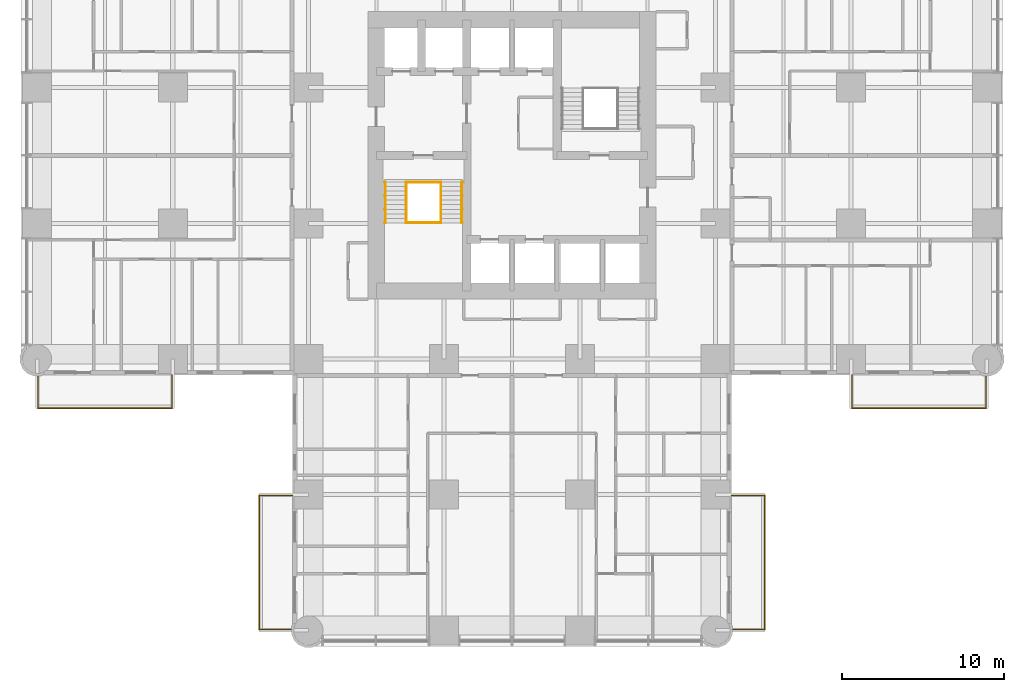
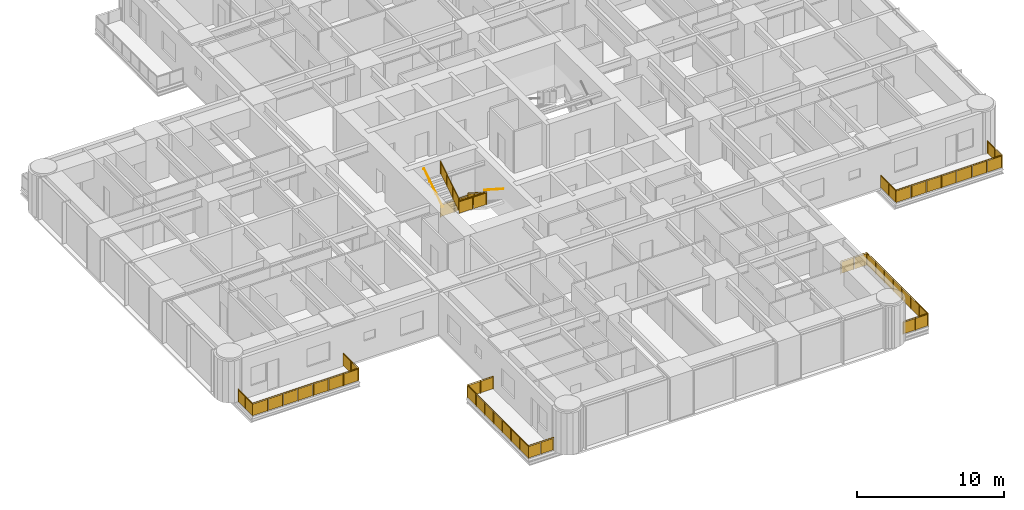
# One storey, part 16 of 17: 10 railings.
"""IFC4 building model written with IfcOpenShell, lengths in metres."""

import ifcopenshell
import ifcopenshell.guid

model = None  # the IFC model being written
_history = None  # IfcOwnerHistory: only IFC2X3 demands one
_inside = {}  # id of a spatial element -> (the spatial element, [elements in it])
_under = {}  # id of a project, library or spatial element -> (it, [spatial elements below it])
_declared = {}  # id of a project -> (the project, [libraries it declares])
_typed = {}  # id of a type object -> (the type object, [elements of that type])
_made_of = {}  # id of a material, layer set ... -> (it, [elements and type objects made of it])


def new_model(schema):
    """Start an empty IFC model of exactly this schema.

    Asked for "IFC4X3", IfcOpenShell would pick the latest addendum, in which some entities
    have other attributes; the version numbers below select the first issue.
    IFC2X3 requires an IfcOwnerHistory on every rooted entity: one is made here for all.
    """
    global model, _history
    if schema == "IFC4X3":
        model = ifcopenshell.file(schema_version=(4, 3, 0, 0))
    else:
        model = ifcopenshell.file(schema=schema)
    _inside.clear()
    _under.clear()
    _declared.clear()
    _typed.clear()
    _made_of.clear()
    _history = None
    if model.schema == "IFC2X3":
        org = make("IfcOrganization", Name="unknown")
        user = make(
            "IfcPersonAndOrganization",
            ThePerson=make("IfcPerson", FamilyName="unknown"),
            TheOrganization=org,
        )
        app = make(
            "IfcApplication",
            ApplicationDeveloper=org,
            Version="unknown",
            ApplicationFullName="unknown",
            ApplicationIdentifier="unknown",
        )
        _history = make(
            "IfcOwnerHistory",
            OwningUser=user,
            OwningApplication=app,
            ChangeAction="ADDED",
            CreationDate=0,
        )
    return model


def make(cls, **values):
    """One entity of the class cls with the attributes given. An attribute that is None is left unset."""
    return model.create_entity(
        cls, **{name: value for name, value in values.items() if value is not None}
    )


def rooted(cls, **values):
    """An entity with a GlobalId (a new one), such as an element, a storey or a relation."""
    return make(cls, GlobalId=ifcopenshell.guid.new(), OwnerHistory=_history, **values)


def si_unit(unit_type, name, prefix=None):
    """IfcSIUnit, for example si_unit("LENGTHUNIT", "METRE", prefix="MILLI")."""
    return make("IfcSIUnit", UnitType=unit_type, Prefix=prefix, Name=name)


def assignment(units):
    """IfcUnitAssignment: the units of a project."""
    return None if units is None else make("IfcUnitAssignment", Units=units)


def point(xyz):
    """IfcCartesianPoint."""
    return None if xyz is None else make("IfcCartesianPoint", Coordinates=xyz)


def direction(xyz):
    """IfcDirection."""
    return None if xyz is None else make("IfcDirection", DirectionRatios=xyz)


def frame(location, z_axis=None, x_axis=None):
    """IfcAxis2Placement3D, a coordinate frame: its origin and axes. An axis left out is left unset."""
    return make(
        "IfcAxis2Placement3D",
        Location=point(location),
        Axis=direction(z_axis),
        RefDirection=direction(x_axis),
    )


def frame_2d(location, x_axis=None):
    """IfcAxis2Placement2D, a coordinate frame in the plane: its origin and x axis."""
    return make(
        "IfcAxis2Placement2D", Location=point(location), RefDirection=direction(x_axis)
    )


def origin():
    """The frame at (0, 0, 0) with its axes left unset."""
    return frame((0.0, 0.0, 0.0))


def origin_2d():
    """The frame at (0, 0) in the plane with its x axis left unset."""
    return frame_2d((0.0, 0.0))


def place(relative_to, where):
    """IfcLocalPlacement: puts the frame where relative to a parent placement (None: the world)."""
    return make(
        "IfcLocalPlacement", PlacementRelTo=relative_to, RelativePlacement=where
    )


def context(
    kind, dimensions, precision=None, world=None, true_north=None, identifier=None
):
    """IfcGeometricRepresentationContext, for example the 3D "Model" context."""
    return make(
        "IfcGeometricRepresentationContext",
        ContextIdentifier=identifier,
        ContextType=kind,
        CoordinateSpaceDimension=dimensions,
        Precision=precision,
        WorldCoordinateSystem=world,
        TrueNorth=true_north,
    )


def subcontext(parent, identifier, kind, view, scale=None):
    """IfcGeometricRepresentationSubContext, for example "Body" below "Model"."""
    return make(
        "IfcGeometricRepresentationSubContext",
        ContextIdentifier=identifier,
        ContextType=kind,
        ParentContext=parent,
        TargetScale=scale,
        TargetView=view,
    )


def project(units=None, contexts=None):
    """IfcProject with its units and contexts."""
    return rooted(
        "IfcProject",
        Name="project",
        RepresentationContexts=contexts,
        UnitsInContext=assignment(units),
    )


def spatial(cls, under=None, at=None, **own):
    """A site, building, storey or space (cls), placed at a placement, below another one or the project."""
    s = rooted(cls, ObjectPlacement=at, **own)
    if under is not None:
        _under.setdefault(under.id(), (under, []))[1].append(s)
    return s


def polyline(points):
    """IfcPolyline through the points."""
    return make("IfcPolyline", Points=[point(p) for p in points])


def profile(cls, at=None, kind="AREA", **sizes):
    """A parametric profile (cls). Its sizes go by their IFC names, for example OverallWidth=200.0."""
    return make(cls, ProfileType=kind, Position=at, **sizes)


def circle(**sizes):
    """IfcCircleProfileDef."""
    return profile("IfcCircleProfileDef", **sizes)


def outline(outer, holes=None, kind="AREA"):
    """IfcArbitraryClosedProfileDef: a profile drawn as a closed curve; with holes, ...WithVoids."""
    if holes is None:
        return make("IfcArbitraryClosedProfileDef", ProfileType=kind, OuterCurve=outer)
    return make(
        "IfcArbitraryProfileDefWithVoids",
        ProfileType=kind,
        OuterCurve=outer,
        InnerCurves=holes,
    )


def extrude(swept, where, along, depth):
    """IfcExtrudedAreaSolid: the profile swept, set in the frame where, extruded along a direction by depth."""
    return make(
        "IfcExtrudedAreaSolid",
        SweptArea=swept,
        Position=where,
        ExtrudedDirection=direction(along),
        Depth=depth,
    )


def shape(context_of_items, identifier, shape_type, items):
    """IfcShapeRepresentation: the items that make up one representation, for example the "Body"."""
    return make(
        "IfcShapeRepresentation",
        ContextOfItems=context_of_items,
        RepresentationIdentifier=identifier,
        RepresentationType=shape_type,
        Items=items,
    )


def material(Name=None, Category=None):
    """IfcMaterial."""
    return make("IfcMaterial", Name=Name, Category=Category)


def constituent(of_material, Name=None, Category=None, fraction=None):
    """IfcMaterialConstituent: one of the materials an element consists of."""
    return make(
        "IfcMaterialConstituent",
        Name=Name,
        Material=of_material,
        Fraction=fraction,
        Category=Category,
    )


def constituent_set(constituents=None, Name=None):
    """IfcMaterialConstituentSet."""
    return make(
        "IfcMaterialConstituentSet", Name=Name, MaterialConstituents=constituents
    )


def made_of(thing, what):
    """Note that an element or type object is made of a material, layer set ...; save() writes the relation."""
    if what is not None:
        _made_of.setdefault(what.id(), (what, []))[1].append(thing)
    return thing


def type_object(cls, material=None, **own):
    """A type object (cls), such as IfcWallType, which elements share."""
    return made_of(rooted(cls, **own), material)


def element(
    cls,
    number,
    at=None,
    inside=None,
    cuts=None,
    type_object=None,
    material=None,
    context=None,
    identifier="Body",
    shape_type=None,
    held_by="IfcProductDefinitionShape",
    body=None,
    shapes=None,
    **own,
):
    """One element of the class cls, such as IfcWall. Its Tag is "e" and its number.

    at: its placement. inside: the storey or other place that contains it. cuts: it is an
    opening in that element (IfcRelVoidsElement). A single representation is given by context,
    identifier, shape_type and body (its items); several are given by shapes. held_by: the class
    of the entity that holds the representations. save() writes the other relations.
    """
    e = rooted(cls, Tag="e%d" % number, ObjectPlacement=at, **own)
    if body is not None:
        shapes = [shape(context, identifier, shape_type, body)]
    if shapes is not None:
        e.Representation = make(held_by, Representations=shapes)
    if inside is not None:
        _inside.setdefault(inside.id(), (inside, []))[1].append(e)
    if cuts is not None:
        rooted(
            "IfcRelVoidsElement", RelatingBuildingElement=cuts, RelatedOpeningElement=e
        )
    if type_object is not None:
        _typed.setdefault(type_object.id(), (type_object, []))[1].append(e)
    return made_of(e, material)


def aggregate(whole, parts):
    """IfcRelAggregates: a whole, such as a stair, and the parts it consists of."""
    return rooted("IfcRelAggregates", RelatingObject=whole, RelatedObjects=parts)


def save(model, path):
    """Write the relations noted so far, then the file.

    IfcRelAggregates (storeys below a building ...), IfcRelContainedInSpatialStructure (elements
    in a storey), IfcRelDefinesByType, IfcRelAssociatesMaterial and IfcRelDeclares: one each for
    every whole, place, type object, material and project.
    """
    for whole, parts in _under.values():
        aggregate(whole, parts)
    for where, things in _inside.values():
        rooted(
            "IfcRelContainedInSpatialStructure",
            RelatedElements=things,
            RelatingStructure=where,
        )
    for kind, things in _typed.values():
        rooted("IfcRelDefinesByType", RelatedObjects=things, RelatingType=kind)
    for what, things in _made_of.values():
        rooted("IfcRelAssociatesMaterial", RelatedObjects=things, RelatingMaterial=what)
    for by, libraries in _declared.values():
        rooted("IfcRelDeclares", RelatingContext=by, RelatedDefinitions=libraries)
    model.write(path)


model = new_model("IFC4")

# Units and contexts
model_context = context("Model", 3, precision=1e-05, world=origin(), true_north=direction((0.0, 1.0)))
body_context = subcontext(model_context, "Body", "Model", "MODEL_VIEW")
ifc_project = project(units=[si_unit("LENGTHUNIT", "METRE"), si_unit("AREAUNIT", "SQUARE_METRE"), si_unit("VOLUMEUNIT", "CUBIC_METRE"), si_unit("PLANEANGLEUNIT", "RADIAN"), si_unit("MASSUNIT", "GRAM", prefix="KILO")], contexts=[model_context])

# Site, building, storey
site_placement = place(None, origin())
site = spatial("IfcSite", under=ifc_project, at=site_placement, CompositionType="ELEMENT")
building_placement = place(site_placement, origin())
building = spatial("IfcBuilding", under=site, at=building_placement, Name="Torre Alcanfor", CompositionType="ELEMENT")
storey_placement = place(building_placement, frame((0.0, 0.0, 56.10009765625)))
storey = spatial("IfcBuildingStorey", under=building, at=storey_placement, Name="L13", CompositionType="ELEMENT", Elevation=56.10009765625)

# Railings
ifc_material_1 = material(Name="Laminated safety glass", Category="glass")
ifc_constituent_1 = constituent(ifc_material_1, Name="Infill")
ifc_material_2 = material(Name="Stainless steel ASTM A554 Grade MT 316L tube", Category="steel")
ifc_constituent_2 = constituent(ifc_material_2, Name="Posts and rail")
ifc_constituent_set = constituent_set(constituents=[ifc_constituent_1, ifc_constituent_2], Name="Balcony guard glass 1100")
railing_type_1 = type_object("IfcRailingType", Name="Balcony guard glass 1100", PredefinedType="BALUSTRADE", material=ifc_constituent_set)
railing_1_placement = place(storey_placement, frame((50.449951171875, 15.800048828125, 0.0)))
element("IfcRailing", 1, at=railing_1_placement, inside=storey, type_object=railing_type_1, Name="Balcony guard L13-E2", PredefinedType="BALUSTRADE", context=body_context, shape_type="SweptSolid", body=[
    extrude(circle(Radius=0.02392578125, at=origin_2d()), frame((0.0, 0.0, 1.076171875), z_axis=(0.0, -1.0, 0.0), x_axis=(1.0, 0.0, 0.0)), (0.0, 0.0, 1.0), 2.050048828125),
    extrude(circle(Radius=0.02392578125, at=origin_2d()), frame((0.0, -2.050048828125, 1.076171875), z_axis=(1.0, 0.0, 0.0), x_axis=(0.0, 1.0, 0.0)), (0.0, 0.0, 1.0), 8.300048828125),
    extrude(circle(Radius=0.02392578125, at=origin_2d()), frame((8.300048828125, -2.050048828125, 1.076171875), z_axis=(0.0, 1.0, 0.0), x_axis=(-1.0, 0.0, 0.0)), (0.0, 0.0, 1.0), 1.968994140625),
    extrude(circle(Radius=0.02099609375, at=origin_2d()), origin(), (0.0, 0.0, 1.0), 1.052001953125),
    extrude(circle(Radius=0.02099609375, at=origin_2d()), frame((0.0, -1.02490234375, 0.0)), (0.0, 0.0, 1.0), 1.052001953125),
    extrude(circle(Radius=0.02099609375, at=origin_2d()), frame((0.0, -2.050048828125, 0.0)), (0.0, 0.0, 1.0), 1.052001953125),
    extrude(circle(Radius=0.02099609375, at=origin_2d()), frame((1.185791015625, -2.050048828125, 0.0)), (0.0, 0.0, 1.0), 1.052001953125),
    extrude(circle(Radius=0.02099609375, at=origin_2d()), frame((2.371337890625, -2.050048828125, 0.0)), (0.0, 0.0, 1.0), 1.052001953125),
    extrude(circle(Radius=0.02099609375, at=origin_2d()), frame((3.55712890625, -2.050048828125, 0.0)), (0.0, 0.0, 1.0), 1.052001953125),
    extrude(circle(Radius=0.02099609375, at=origin_2d()), frame((4.742919921875, -2.050048828125, 0.0)), (0.0, 0.0, 1.0), 1.052001953125),
    extrude(circle(Radius=0.02099609375, at=origin_2d()), frame((5.9287109375, -2.050048828125, 0.0)), (0.0, 0.0, 1.0), 1.052001953125),
    extrude(circle(Radius=0.02099609375, at=origin_2d()), frame((7.1142578125, -2.050048828125, 0.0)), (0.0, 0.0, 1.0), 1.052001953125),
    extrude(circle(Radius=0.02099609375, at=origin_2d()), frame((8.300048828125, -2.050048828125, 0.0)), (0.0, 0.0, 1.0), 1.052001953125),
    extrude(circle(Radius=0.02099609375, at=origin_2d()), frame((8.300048828125, -1.0654296875, 0.0)), (0.0, 0.0, 1.0), 1.052001953125),
    extrude(circle(Radius=0.02099609375, at=origin_2d()), frame((8.300048828125, -0.0810546875, 0.0)), (0.0, 0.0, 1.0), 1.052001953125),
    extrude(outline(polyline([(0.041015625, 0.050048828125), (0.984130859375, 0.050048828125), (0.984130859375, 1.001953125), (0.041015625, 1.001953125), (0.041015625, 0.050048828125)])), frame((0.005859375, 0.0, 0.0), z_axis=(-1.0, 0.0, 0.0), x_axis=(0.0, -1.0, 0.0)), (0.0, 0.0, 1.0), 0.011962890625),
    extrude(outline(polyline([(1.06591796875, 0.050048828125), (2.009033203125, 0.050048828125), (2.009033203125, 1.001953125), (1.06591796875, 1.001953125), (1.06591796875, 0.050048828125)])), frame((0.005859375, 0.0, 0.0), z_axis=(-1.0, 0.0, 0.0), x_axis=(0.0, -1.0, 0.0)), (0.0, 0.0, 1.0), 0.011962890625),
    extrude(outline(polyline([(0.041015625, 0.050048828125), (1.144775390625, 0.050048828125), (1.144775390625, 1.001953125), (0.041015625, 1.001953125), (0.041015625, 0.050048828125)])), frame((0.0, -2.0439453125, 0.0), z_axis=(0.0, -1.0, 0.0), x_axis=(1.0, 0.0, 0.0)), (0.0, 0.0, 1.0), 0.011962890625),
    extrude(outline(polyline([(1.226806640625, 0.050048828125), (2.330322265625, 0.050048828125), (2.330322265625, 1.001953125), (1.226806640625, 1.001953125), (1.226806640625, 0.050048828125)])), frame((0.0, -2.0439453125, 0.0), z_axis=(0.0, -1.0, 0.0), x_axis=(1.0, 0.0, 0.0)), (0.0, 0.0, 1.0), 0.011962890625),
    extrude(outline(polyline([(2.412353515625, 0.050048828125), (3.51611328125, 0.050048828125), (3.51611328125, 1.001953125), (2.412353515625, 1.001953125), (2.412353515625, 0.050048828125)])), frame((0.0, -2.0439453125, 0.0), z_axis=(0.0, -1.0, 0.0), x_axis=(1.0, 0.0, 0.0)), (0.0, 0.0, 1.0), 0.011962890625),
    extrude(outline(polyline([(3.59814453125, 0.050048828125), (4.701904296875, 0.050048828125), (4.701904296875, 1.001953125), (3.59814453125, 1.001953125), (3.59814453125, 0.050048828125)])), frame((0.0, -2.0439453125, 0.0), z_axis=(0.0, -1.0, 0.0), x_axis=(1.0, 0.0, 0.0)), (0.0, 0.0, 1.0), 0.011962890625),
    extrude(outline(polyline([(4.783935546875, 0.050048828125), (5.8876953125, 0.050048828125), (5.8876953125, 1.001953125), (4.783935546875, 1.001953125), (4.783935546875, 0.050048828125)])), frame((0.0, -2.0439453125, 0.0), z_axis=(0.0, -1.0, 0.0), x_axis=(1.0, 0.0, 0.0)), (0.0, 0.0, 1.0), 0.011962890625),
    extrude(outline(polyline([(5.9697265625, 0.050048828125), (7.0732421875, 0.050048828125), (7.0732421875, 1.001953125), (5.9697265625, 1.001953125), (5.9697265625, 0.050048828125)])), frame((0.0, -2.0439453125, 0.0), z_axis=(0.0, -1.0, 0.0), x_axis=(1.0, 0.0, 0.0)), (0.0, 0.0, 1.0), 0.011962890625),
    extrude(outline(polyline([(7.1552734375, 0.050048828125), (8.259033203125, 0.050048828125), (8.259033203125, 1.001953125), (7.1552734375, 1.001953125), (7.1552734375, 0.050048828125)])), frame((0.0, -2.0439453125, 0.0), z_axis=(0.0, -1.0, 0.0), x_axis=(1.0, 0.0, 0.0)), (0.0, 0.0, 1.0), 0.011962890625),
    extrude(outline(polyline([(0.041015625, 0.050048828125), (0.943603515625, 0.050048828125), (0.943603515625, 1.001953125), (0.041015625, 1.001953125), (0.041015625, 0.050048828125)])), frame((8.2939453125, -2.050048828125, 0.0), z_axis=(1.0, 0.0, 0.0), x_axis=(0.0, 1.0, 0.0)), (0.0, 0.0, 1.0), 0.011962890625),
    extrude(outline(polyline([(1.025390625, 0.050048828125), (1.927978515625, 0.050048828125), (1.927978515625, 1.001953125), (1.025390625, 1.001953125), (1.025390625, 0.050048828125)])), frame((8.2939453125, -2.050048828125, 0.0), z_axis=(1.0, 0.0, 0.0), x_axis=(0.0, 1.0, 0.0)), (0.0, 0.0, 1.0), 0.011962890625),
])
railing_2_placement = place(storey_placement, frame((43.0, 8.35009765625, 0.0)))
element("IfcRailing", 2, at=railing_2_placement, inside=storey, type_object=railing_type_1, Name="Balcony guard L13-S1", PredefinedType="BALUSTRADE", context=body_context, shape_type="SweptSolid", body=[
    extrude(circle(Radius=0.02392578125, at=origin_2d()), frame((0.0, 0.0, 1.076171875), z_axis=(1.0, 0.0, 0.0), x_axis=(0.0, 1.0, 0.0)), (0.0, 0.0, 1.0), 2.050048828125),
    extrude(circle(Radius=0.02392578125, at=origin_2d()), frame((2.050048828125, 0.0, 1.076171875), z_axis=(0.0, -1.0, 0.0), x_axis=(1.0, 0.0, 0.0)), (0.0, 0.0, 1.0), 8.300048828125),
    extrude(circle(Radius=0.02392578125, at=origin_2d()), frame((2.050048828125, -8.300048828125, 1.076171875), z_axis=(-1.0, 0.0, 0.0), x_axis=(0.0, -1.0, 0.0)), (0.0, 0.0, 1.0), 1.968994140625),
    extrude(circle(Radius=0.02099609375, at=origin_2d()), origin(), (0.0, 0.0, 1.0), 1.052001953125),
    extrude(circle(Radius=0.02099609375, at=origin_2d()), frame((1.02490234375, 0.0, 0.0)), (0.0, 0.0, 1.0), 1.052001953125),
    extrude(circle(Radius=0.02099609375, at=origin_2d()), frame((2.050048828125, 0.0, 0.0)), (0.0, 0.0, 1.0), 1.052001953125),
    extrude(circle(Radius=0.02099609375, at=origin_2d()), frame((2.050048828125, -1.185791015625, 0.0)), (0.0, 0.0, 1.0), 1.052001953125),
    extrude(circle(Radius=0.02099609375, at=origin_2d()), frame((2.050048828125, -2.371337890625, 0.0)), (0.0, 0.0, 1.0), 1.052001953125),
    extrude(circle(Radius=0.02099609375, at=origin_2d()), frame((2.050048828125, -3.55712890625, 0.0)), (0.0, 0.0, 1.0), 1.052001953125),
    extrude(circle(Radius=0.02099609375, at=origin_2d()), frame((2.050048828125, -4.742919921875, 0.0)), (0.0, 0.0, 1.0), 1.052001953125),
    extrude(circle(Radius=0.02099609375, at=origin_2d()), frame((2.050048828125, -5.9287109375, 0.0)), (0.0, 0.0, 1.0), 1.052001953125),
    extrude(circle(Radius=0.02099609375, at=origin_2d()), frame((2.050048828125, -7.1142578125, 0.0)), (0.0, 0.0, 1.0), 1.052001953125),
    extrude(circle(Radius=0.02099609375, at=origin_2d()), frame((2.050048828125, -8.300048828125, 0.0)), (0.0, 0.0, 1.0), 1.052001953125),
    extrude(circle(Radius=0.02099609375, at=origin_2d()), frame((1.0654296875, -8.300048828125, 0.0)), (0.0, 0.0, 1.0), 1.052001953125),
    extrude(circle(Radius=0.02099609375, at=origin_2d()), frame((0.0810546875, -8.300048828125, 0.0)), (0.0, 0.0, 1.0), 1.052001953125),
    extrude(outline(polyline([(0.041015625, 0.050048828125), (0.984130859375, 0.050048828125), (0.984130859375, 1.001953125), (0.041015625, 1.001953125), (0.041015625, 0.050048828125)])), frame((0.0, 0.005859375, 0.0), z_axis=(0.0, -1.0, 0.0), x_axis=(1.0, 0.0, 0.0)), (0.0, 0.0, 1.0), 0.011962890625),
    extrude(outline(polyline([(1.06591796875, 0.050048828125), (2.009033203125, 0.050048828125), (2.009033203125, 1.001953125), (1.06591796875, 1.001953125), (1.06591796875, 0.050048828125)])), frame((0.0, 0.005859375, 0.0), z_axis=(0.0, -1.0, 0.0), x_axis=(1.0, 0.0, 0.0)), (0.0, 0.0, 1.0), 0.011962890625),
    extrude(outline(polyline([(0.041015625, 0.050048828125), (1.144775390625, 0.050048828125), (1.144775390625, 1.001953125), (0.041015625, 1.001953125), (0.041015625, 0.050048828125)])), frame((2.05615234375, 0.0, 0.0), z_axis=(-1.0, 0.0, 0.0), x_axis=(0.0, -1.0, 0.0)), (0.0, 0.0, 1.0), 0.011962890625),
    extrude(outline(polyline([(1.226806640625, 0.050048828125), (2.330322265625, 0.050048828125), (2.330322265625, 1.001953125), (1.226806640625, 1.001953125), (1.226806640625, 0.050048828125)])), frame((2.05615234375, 0.0, 0.0), z_axis=(-1.0, 0.0, 0.0), x_axis=(0.0, -1.0, 0.0)), (0.0, 0.0, 1.0), 0.011962890625),
    extrude(outline(polyline([(2.412353515625, 0.050048828125), (3.51611328125, 0.050048828125), (3.51611328125, 1.001953125), (2.412353515625, 1.001953125), (2.412353515625, 0.050048828125)])), frame((2.05615234375, 0.0, 0.0), z_axis=(-1.0, 0.0, 0.0), x_axis=(0.0, -1.0, 0.0)), (0.0, 0.0, 1.0), 0.011962890625),
    extrude(outline(polyline([(3.59814453125, 0.050048828125), (4.701904296875, 0.050048828125), (4.701904296875, 1.001953125), (3.59814453125, 1.001953125), (3.59814453125, 0.050048828125)])), frame((2.05615234375, 0.0, 0.0), z_axis=(-1.0, 0.0, 0.0), x_axis=(0.0, -1.0, 0.0)), (0.0, 0.0, 1.0), 0.011962890625),
    extrude(outline(polyline([(4.783935546875, 0.050048828125), (5.8876953125, 0.050048828125), (5.8876953125, 1.001953125), (4.783935546875, 1.001953125), (4.783935546875, 0.050048828125)])), frame((2.05615234375, 0.0, 0.0), z_axis=(-1.0, 0.0, 0.0), x_axis=(0.0, -1.0, 0.0)), (0.0, 0.0, 1.0), 0.011962890625),
    extrude(outline(polyline([(5.9697265625, 0.050048828125), (7.0732421875, 0.050048828125), (7.0732421875, 1.001953125), (5.9697265625, 1.001953125), (5.9697265625, 0.050048828125)])), frame((2.05615234375, 0.0, 0.0), z_axis=(-1.0, 0.0, 0.0), x_axis=(0.0, -1.0, 0.0)), (0.0, 0.0, 1.0), 0.011962890625),
    extrude(outline(polyline([(7.1552734375, 0.050048828125), (8.259033203125, 0.050048828125), (8.259033203125, 1.001953125), (7.1552734375, 1.001953125), (7.1552734375, 0.050048828125)])), frame((2.05615234375, 0.0, 0.0), z_axis=(-1.0, 0.0, 0.0), x_axis=(0.0, -1.0, 0.0)), (0.0, 0.0, 1.0), 0.011962890625),
    extrude(outline(polyline([(0.041015625, 0.050048828125), (0.943603515625, 0.050048828125), (0.943603515625, 1.001953125), (0.041015625, 1.001953125), (0.041015625, 0.050048828125)])), frame((2.050048828125, -8.30615234375, 0.0), z_axis=(0.0, 1.0, 0.0), x_axis=(-1.0, 0.0, 0.0)), (0.0, 0.0, 1.0), 0.011962890625),
    extrude(outline(polyline([(1.025390625, 0.050048828125), (1.927978515625, 0.050048828125), (1.927978515625, 1.001953125), (1.025390625, 1.001953125), (1.025390625, 0.050048828125)])), frame((2.050048828125, -8.30615234375, 0.0), z_axis=(0.0, 1.0, 0.0), x_axis=(-1.0, 0.0, 0.0)), (0.0, 0.0, 1.0), 0.011962890625),
])
railing_3_placement = place(storey_placement, frame((15.800048828125, 8.35009765625, 0.0)))
element("IfcRailing", 3, at=railing_3_placement, inside=storey, type_object=railing_type_1, Name="Balcony guard L13-S2", PredefinedType="BALUSTRADE", context=body_context, shape_type="SweptSolid", body=[
    extrude(circle(Radius=0.02392578125, at=origin_2d()), frame((0.0, 0.0, 1.076171875), z_axis=(-1.0, 0.0, 0.0), x_axis=(0.0, -1.0, 0.0)), (0.0, 0.0, 1.0), 2.050048828125),
    extrude(circle(Radius=0.02392578125, at=origin_2d()), frame((-2.050048828125, 0.0, 1.076171875), z_axis=(0.0, -1.0, 0.0), x_axis=(1.0, 0.0, 0.0)), (0.0, 0.0, 1.0), 8.300048828125),
    extrude(circle(Radius=0.02392578125, at=origin_2d()), frame((-2.050048828125, -8.300048828125, 1.076171875), z_axis=(1.0, 0.0, 0.0), x_axis=(0.0, 1.0, 0.0)), (0.0, 0.0, 1.0), 1.968994140625),
    extrude(circle(Radius=0.02099609375, at=origin_2d()), origin(), (0.0, 0.0, 1.0), 1.052001953125),
    extrude(circle(Radius=0.02099609375, at=origin_2d()), frame((-1.02490234375, 0.0, 0.0)), (0.0, 0.0, 1.0), 1.052001953125),
    extrude(circle(Radius=0.02099609375, at=origin_2d()), frame((-2.050048828125, 0.0, 0.0)), (0.0, 0.0, 1.0), 1.052001953125),
    extrude(circle(Radius=0.02099609375, at=origin_2d()), frame((-2.050048828125, -1.185791015625, 0.0)), (0.0, 0.0, 1.0), 1.052001953125),
    extrude(circle(Radius=0.02099609375, at=origin_2d()), frame((-2.050048828125, -2.371337890625, 0.0)), (0.0, 0.0, 1.0), 1.052001953125),
    extrude(circle(Radius=0.02099609375, at=origin_2d()), frame((-2.050048828125, -3.55712890625, 0.0)), (0.0, 0.0, 1.0), 1.052001953125),
    extrude(circle(Radius=0.02099609375, at=origin_2d()), frame((-2.050048828125, -4.742919921875, 0.0)), (0.0, 0.0, 1.0), 1.052001953125),
    extrude(circle(Radius=0.02099609375, at=origin_2d()), frame((-2.050048828125, -5.9287109375, 0.0)), (0.0, 0.0, 1.0), 1.052001953125),
    extrude(circle(Radius=0.02099609375, at=origin_2d()), frame((-2.050048828125, -7.1142578125, 0.0)), (0.0, 0.0, 1.0), 1.052001953125),
    extrude(circle(Radius=0.02099609375, at=origin_2d()), frame((-2.050048828125, -8.300048828125, 0.0)), (0.0, 0.0, 1.0), 1.052001953125),
    extrude(circle(Radius=0.02099609375, at=origin_2d()), frame((-1.0654296875, -8.300048828125, 0.0)), (0.0, 0.0, 1.0), 1.052001953125),
    extrude(circle(Radius=0.02099609375, at=origin_2d()), frame((-0.0810546875, -8.300048828125, 0.0)), (0.0, 0.0, 1.0), 1.052001953125),
    extrude(outline(polyline([(0.041015625, 0.050048828125), (0.984130859375, 0.050048828125), (0.984130859375, 1.001953125), (0.041015625, 1.001953125), (0.041015625, 0.050048828125)])), frame((0.0, -0.005859375, 0.0), z_axis=(0.0, 1.0, 0.0), x_axis=(-1.0, 0.0, 0.0)), (0.0, 0.0, 1.0), 0.011962890625),
    extrude(outline(polyline([(1.06591796875, 0.050048828125), (2.009033203125, 0.050048828125), (2.009033203125, 1.001953125), (1.06591796875, 1.001953125), (1.06591796875, 0.050048828125)])), frame((0.0, -0.005859375, 0.0), z_axis=(0.0, 1.0, 0.0), x_axis=(-1.0, 0.0, 0.0)), (0.0, 0.0, 1.0), 0.011962890625),
    extrude(outline(polyline([(0.041015625, 0.050048828125), (1.144775390625, 0.050048828125), (1.144775390625, 1.001953125), (0.041015625, 1.001953125), (0.041015625, 0.050048828125)])), frame((-2.0439453125, 0.0, 0.0), z_axis=(-1.0, 0.0, 0.0), x_axis=(0.0, -1.0, 0.0)), (0.0, 0.0, 1.0), 0.011962890625),
    extrude(outline(polyline([(1.226806640625, 0.050048828125), (2.330322265625, 0.050048828125), (2.330322265625, 1.001953125), (1.226806640625, 1.001953125), (1.226806640625, 0.050048828125)])), frame((-2.0439453125, 0.0, 0.0), z_axis=(-1.0, 0.0, 0.0), x_axis=(0.0, -1.0, 0.0)), (0.0, 0.0, 1.0), 0.011962890625),
    extrude(outline(polyline([(2.412353515625, 0.050048828125), (3.51611328125, 0.050048828125), (3.51611328125, 1.001953125), (2.412353515625, 1.001953125), (2.412353515625, 0.050048828125)])), frame((-2.0439453125, 0.0, 0.0), z_axis=(-1.0, 0.0, 0.0), x_axis=(0.0, -1.0, 0.0)), (0.0, 0.0, 1.0), 0.011962890625),
    extrude(outline(polyline([(3.59814453125, 0.050048828125), (4.701904296875, 0.050048828125), (4.701904296875, 1.001953125), (3.59814453125, 1.001953125), (3.59814453125, 0.050048828125)])), frame((-2.0439453125, 0.0, 0.0), z_axis=(-1.0, 0.0, 0.0), x_axis=(0.0, -1.0, 0.0)), (0.0, 0.0, 1.0), 0.011962890625),
    extrude(outline(polyline([(4.783935546875, 0.050048828125), (5.8876953125, 0.050048828125), (5.8876953125, 1.001953125), (4.783935546875, 1.001953125), (4.783935546875, 0.050048828125)])), frame((-2.0439453125, 0.0, 0.0), z_axis=(-1.0, 0.0, 0.0), x_axis=(0.0, -1.0, 0.0)), (0.0, 0.0, 1.0), 0.011962890625),
    extrude(outline(polyline([(5.9697265625, 0.050048828125), (7.0732421875, 0.050048828125), (7.0732421875, 1.001953125), (5.9697265625, 1.001953125), (5.9697265625, 0.050048828125)])), frame((-2.0439453125, 0.0, 0.0), z_axis=(-1.0, 0.0, 0.0), x_axis=(0.0, -1.0, 0.0)), (0.0, 0.0, 1.0), 0.011962890625),
    extrude(outline(polyline([(7.1552734375, 0.050048828125), (8.259033203125, 0.050048828125), (8.259033203125, 1.001953125), (7.1552734375, 1.001953125), (7.1552734375, 0.050048828125)])), frame((-2.0439453125, 0.0, 0.0), z_axis=(-1.0, 0.0, 0.0), x_axis=(0.0, -1.0, 0.0)), (0.0, 0.0, 1.0), 0.011962890625),
    extrude(outline(polyline([(0.041015625, 0.050048828125), (0.943603515625, 0.050048828125), (0.943603515625, 1.001953125), (0.041015625, 1.001953125), (0.041015625, 0.050048828125)])), frame((-2.050048828125, -8.2939453125, 0.0), z_axis=(0.0, -1.0, 0.0), x_axis=(1.0, 0.0, 0.0)), (0.0, 0.0, 1.0), 0.011962890625),
    extrude(outline(polyline([(1.025390625, 0.050048828125), (1.927978515625, 0.050048828125), (1.927978515625, 1.001953125), (1.025390625, 1.001953125), (1.025390625, 0.050048828125)])), frame((-2.050048828125, -8.2939453125, 0.0), z_axis=(0.0, -1.0, 0.0), x_axis=(1.0, 0.0, 0.0)), (0.0, 0.0, 1.0), 0.011962890625),
])
railing_4_placement = place(storey_placement, frame((8.35009765625, 15.800048828125, 0.0)))
element("IfcRailing", 4, at=railing_4_placement, inside=storey, type_object=railing_type_1, Name="Balcony guard L13-W1", PredefinedType="BALUSTRADE", context=body_context, shape_type="SweptSolid", body=[
    extrude(circle(Radius=0.02392578125, at=origin_2d()), frame((0.0, 0.0, 1.076171875), z_axis=(0.0, -1.0, 0.0), x_axis=(1.0, 0.0, 0.0)), (0.0, 0.0, 1.0), 2.050048828125),
    extrude(circle(Radius=0.02392578125, at=origin_2d()), frame((0.0, -2.050048828125, 1.076171875), z_axis=(-1.0, 0.0, 0.0), x_axis=(0.0, -1.0, 0.0)), (0.0, 0.0, 1.0), 8.300048828125),
    extrude(circle(Radius=0.02392578125, at=origin_2d()), frame((-8.300048828125, -2.050048828125, 1.076171875), z_axis=(0.0, 1.0, 0.0), x_axis=(-1.0, 0.0, 0.0)), (0.0, 0.0, 1.0), 1.968994140625),
    extrude(circle(Radius=0.02099609375, at=origin_2d()), origin(), (0.0, 0.0, 1.0), 1.052001953125),
    extrude(circle(Radius=0.02099609375, at=origin_2d()), frame((0.0, -1.02490234375, 0.0)), (0.0, 0.0, 1.0), 1.052001953125),
    extrude(circle(Radius=0.02099609375, at=origin_2d()), frame((0.0, -2.050048828125, 0.0)), (0.0, 0.0, 1.0), 1.052001953125),
    extrude(circle(Radius=0.02099609375, at=origin_2d()), frame((-1.185791015625, -2.050048828125, 0.0)), (0.0, 0.0, 1.0), 1.052001953125),
    extrude(circle(Radius=0.02099609375, at=origin_2d()), frame((-2.371337890625, -2.050048828125, 0.0)), (0.0, 0.0, 1.0), 1.052001953125),
    extrude(circle(Radius=0.02099609375, at=origin_2d()), frame((-3.55712890625, -2.050048828125, 0.0)), (0.0, 0.0, 1.0), 1.052001953125),
    extrude(circle(Radius=0.02099609375, at=origin_2d()), frame((-4.742919921875, -2.050048828125, 0.0)), (0.0, 0.0, 1.0), 1.052001953125),
    extrude(circle(Radius=0.02099609375, at=origin_2d()), frame((-5.9287109375, -2.050048828125, 0.0)), (0.0, 0.0, 1.0), 1.052001953125),
    extrude(circle(Radius=0.02099609375, at=origin_2d()), frame((-7.1142578125, -2.050048828125, 0.0)), (0.0, 0.0, 1.0), 1.052001953125),
    extrude(circle(Radius=0.02099609375, at=origin_2d()), frame((-8.300048828125, -2.050048828125, 0.0)), (0.0, 0.0, 1.0), 1.052001953125),
    extrude(circle(Radius=0.02099609375, at=origin_2d()), frame((-8.300048828125, -1.0654296875, 0.0)), (0.0, 0.0, 1.0), 1.052001953125),
    extrude(circle(Radius=0.02099609375, at=origin_2d()), frame((-8.300048828125, -0.0810546875, 0.0)), (0.0, 0.0, 1.0), 1.052001953125),
    extrude(outline(polyline([(0.041015625, 0.050048828125), (0.984130859375, 0.050048828125), (0.984130859375, 1.001953125), (0.041015625, 1.001953125), (0.041015625, 0.050048828125)])), frame((0.005859375, 0.0, 0.0), z_axis=(-1.0, 0.0, 0.0), x_axis=(0.0, -1.0, 0.0)), (0.0, 0.0, 1.0), 0.011962890625),
    extrude(outline(polyline([(1.06591796875, 0.050048828125), (2.009033203125, 0.050048828125), (2.009033203125, 1.001953125), (1.06591796875, 1.001953125), (1.06591796875, 0.050048828125)])), frame((0.005859375, 0.0, 0.0), z_axis=(-1.0, 0.0, 0.0), x_axis=(0.0, -1.0, 0.0)), (0.0, 0.0, 1.0), 0.011962890625),
    extrude(outline(polyline([(0.041015625, 0.050048828125), (1.144775390625, 0.050048828125), (1.144775390625, 1.001953125), (0.041015625, 1.001953125), (0.041015625, 0.050048828125)])), frame((0.0, -2.05615234375, 0.0), z_axis=(0.0, 1.0, 0.0), x_axis=(-1.0, 0.0, 0.0)), (0.0, 0.0, 1.0), 0.011962890625),
    extrude(outline(polyline([(1.226806640625, 0.050048828125), (2.330322265625, 0.050048828125), (2.330322265625, 1.001953125), (1.226806640625, 1.001953125), (1.226806640625, 0.050048828125)])), frame((0.0, -2.05615234375, 0.0), z_axis=(0.0, 1.0, 0.0), x_axis=(-1.0, 0.0, 0.0)), (0.0, 0.0, 1.0), 0.011962890625),
    extrude(outline(polyline([(2.412353515625, 0.050048828125), (3.51611328125, 0.050048828125), (3.51611328125, 1.001953125), (2.412353515625, 1.001953125), (2.412353515625, 0.050048828125)])), frame((0.0, -2.05615234375, 0.0), z_axis=(0.0, 1.0, 0.0), x_axis=(-1.0, 0.0, 0.0)), (0.0, 0.0, 1.0), 0.011962890625),
    extrude(outline(polyline([(3.59814453125, 0.050048828125), (4.701904296875, 0.050048828125), (4.701904296875, 1.001953125), (3.59814453125, 1.001953125), (3.59814453125, 0.050048828125)])), frame((0.0, -2.05615234375, 0.0), z_axis=(0.0, 1.0, 0.0), x_axis=(-1.0, 0.0, 0.0)), (0.0, 0.0, 1.0), 0.011962890625),
    extrude(outline(polyline([(4.783935546875, 0.050048828125), (5.8876953125, 0.050048828125), (5.8876953125, 1.001953125), (4.783935546875, 1.001953125), (4.783935546875, 0.050048828125)])), frame((0.0, -2.05615234375, 0.0), z_axis=(0.0, 1.0, 0.0), x_axis=(-1.0, 0.0, 0.0)), (0.0, 0.0, 1.0), 0.011962890625),
    extrude(outline(polyline([(5.9697265625, 0.050048828125), (7.0732421875, 0.050048828125), (7.0732421875, 1.001953125), (5.9697265625, 1.001953125), (5.9697265625, 0.050048828125)])), frame((0.0, -2.05615234375, 0.0), z_axis=(0.0, 1.0, 0.0), x_axis=(-1.0, 0.0, 0.0)), (0.0, 0.0, 1.0), 0.011962890625),
    extrude(outline(polyline([(7.1552734375, 0.050048828125), (8.259033203125, 0.050048828125), (8.259033203125, 1.001953125), (7.1552734375, 1.001953125), (7.1552734375, 0.050048828125)])), frame((0.0, -2.05615234375, 0.0), z_axis=(0.0, 1.0, 0.0), x_axis=(-1.0, 0.0, 0.0)), (0.0, 0.0, 1.0), 0.011962890625),
    extrude(outline(polyline([(0.041015625, 0.050048828125), (0.943603515625, 0.050048828125), (0.943603515625, 1.001953125), (0.041015625, 1.001953125), (0.041015625, 0.050048828125)])), frame((-8.30615234375, -2.050048828125, 0.0), z_axis=(1.0, 0.0, 0.0), x_axis=(0.0, 1.0, 0.0)), (0.0, 0.0, 1.0), 0.011962890625),
    extrude(outline(polyline([(1.025390625, 0.050048828125), (1.927978515625, 0.050048828125), (1.927978515625, 1.001953125), (1.025390625, 1.001953125), (1.025390625, 0.050048828125)])), frame((-8.30615234375, -2.050048828125, 0.0), z_axis=(1.0, 0.0, 0.0), x_axis=(0.0, 1.0, 0.0)), (0.0, 0.0, 1.0), 0.011962890625),
])
ifc_material_3 = material(Name="Steel ASTM A500 Grade C hollow sections", Category="steel")
railing_type_2 = type_object("IfcRailingType", Name="Stair guard and handrail 1100", PredefinedType="GUARDRAIL", material=ifc_material_3)
railing_5_placement = place(storey_placement, frame((25.0, 27.75, 0.179931640625)))
element("IfcRailing", 5, at=railing_5_placement, inside=storey, type_object=railing_type_2, Name="Stair guard S1 L13 flight 1", PredefinedType="GUARDRAIL", context=body_context, shape_type="SweptSolid", body=[
    extrude(circle(Radius=0.02392578125, at=origin_2d()), frame((0.0, 0.0, 1.076171875), z_axis=(0.0, -0.841199657755, 0.540724639528), x_axis=(1.0, 0.0, 0.0)), (0.0, 0.0, 1.0), 2.995849609375),
    extrude(circle(Radius=0.02099609375, at=origin_2d()), origin(), (0.0, 0.0, 1.0), 1.052001953125),
    extrude(circle(Radius=0.02099609375, at=origin_2d()), frame((0.0, -0.840087890625, 0.5400390625)), (0.0, 0.0, 1.0), 1.052001953125),
    extrude(circle(Radius=0.02099609375, at=origin_2d()), frame((0.0, -1.679931640625, 1.079833984375)), (0.0, 0.0, 1.0), 1.052001953125),
    extrude(circle(Radius=0.02099609375, at=origin_2d()), frame((0.0, -2.52001953125, 1.619873046875)), (0.0, 0.0, 1.0), 1.052001953125),
    extrude(outline(polyline([(0.041015625, 0.076416015625), (0.799072265625, 0.563720703125), (0.799072265625, 1.515625), (0.041015625, 1.0283203125), (0.041015625, 0.076416015625)])), frame((0.005859375, 0.0, 0.0), z_axis=(-1.0, 0.0, 0.0), x_axis=(0.0, -1.0, 0.0)), (0.0, 0.0, 1.0), 0.011962890625),
    extrude(outline(polyline([(0.881103515625, 0.6162109375), (1.638916015625, 1.103515625), (1.638916015625, 2.0556640625), (0.881103515625, 1.568359375), (0.881103515625, 0.6162109375)])), frame((0.005859375, 0.0, 0.0), z_axis=(-1.0, 0.0, 0.0), x_axis=(0.0, -1.0, 0.0)), (0.0, 0.0, 1.0), 0.011962890625),
    extrude(outline(polyline([(1.720947265625, 1.15625), (2.47900390625, 1.6435546875), (2.47900390625, 2.595458984375), (1.720947265625, 2.108154296875), (1.720947265625, 1.15625)])), frame((0.005859375, 0.0, 0.0), z_axis=(-1.0, 0.0, 0.0), x_axis=(0.0, -1.0, 0.0)), (0.0, 0.0, 1.0), 0.011962890625),
])
railing_6_placement = place(storey_placement, frame((22.85009765625, 25.22998046875, 1.97998046875)))
element("IfcRailing", 6, at=railing_6_placement, inside=storey, type_object=railing_type_2, Name="Stair guard S1 L13 flight 2", PredefinedType="GUARDRAIL", context=body_context, shape_type="SweptSolid", body=[
    extrude(circle(Radius=0.02392578125, at=origin_2d()), frame((0.0, 0.0, 1.076171875), z_axis=(0.0, 0.841199657755, 0.540724639528), x_axis=(-1.0, 0.0, 0.0)), (0.0, 0.0, 1.0), 2.995849609375),
    extrude(circle(Radius=0.02099609375, at=origin_2d()), origin(), (0.0, 0.0, 1.0), 1.052001953125),
    extrude(circle(Radius=0.02099609375, at=origin_2d()), frame((0.0, 0.840087890625, 0.5400390625)), (0.0, 0.0, 1.0), 1.052001953125),
    extrude(circle(Radius=0.02099609375, at=origin_2d()), frame((0.0, 1.679931640625, 1.079833984375)), (0.0, 0.0, 1.0), 1.052001953125),
    extrude(circle(Radius=0.02099609375, at=origin_2d()), frame((0.0, 2.52001953125, 1.619873046875)), (0.0, 0.0, 1.0), 1.052001953125),
    extrude(outline(polyline([(0.041015625, 0.076416015625), (0.799072265625, 0.563720703125), (0.799072265625, 1.515625), (0.041015625, 1.0283203125), (0.041015625, 0.076416015625)])), frame((-0.005859375, 0.0, 0.0), z_axis=(1.0, 0.0, 0.0), x_axis=(0.0, 1.0, 0.0)), (0.0, 0.0, 1.0), 0.011962890625),
    extrude(outline(polyline([(0.881103515625, 0.6162109375), (1.638916015625, 1.103515625), (1.638916015625, 2.0556640625), (0.881103515625, 1.568359375), (0.881103515625, 0.6162109375)])), frame((-0.005859375, 0.0, 0.0), z_axis=(1.0, 0.0, 0.0), x_axis=(0.0, 1.0, 0.0)), (0.0, 0.0, 1.0), 0.011962890625),
    extrude(outline(polyline([(1.720947265625, 1.15625), (2.47900390625, 1.6435546875), (2.47900390625, 2.595458984375), (1.720947265625, 2.108154296875), (1.720947265625, 1.15625)])), frame((-0.005859375, 0.0, 0.0), z_axis=(1.0, 0.0, 0.0), x_axis=(0.0, 1.0, 0.0)), (0.0, 0.0, 1.0), 0.011962890625),
])
for number, where, name in (
    (7, (22.85009765625, 27.75, 0.0), "Stair well guard S1 L13 floor landing"),
    (8, (22.85009765625, 25.22998046875, 1.7998046875), "Stair well guard S1 L13 half landing"),
):
    element("IfcRailing", number, at=place(storey_placement, frame(where)), inside=storey, type_object=railing_type_2, Name=name, PredefinedType="GUARDRAIL", context=body_context, shape_type="SweptSolid", body=[
        extrude(circle(Radius=0.02392578125, at=origin_2d()), frame((0.0, 0.0, 1.076171875), z_axis=(1.0, 0.0, 0.0), x_axis=(0.0, 1.0, 0.0)), (0.0, 0.0, 1.0), 2.14990234375),
        extrude(circle(Radius=0.02099609375, at=origin_2d()), origin(), (0.0, 0.0, 1.0), 1.052001953125),
        extrude(circle(Radius=0.02099609375, at=origin_2d()), frame((1.074951171875, 0.0, 0.0)), (0.0, 0.0, 1.0), 1.052001953125),
        extrude(circle(Radius=0.02099609375, at=origin_2d()), frame((2.14990234375, 0.0, 0.0)), (0.0, 0.0, 1.0), 1.052001953125),
        extrude(outline(polyline([(0.041015625, 0.050048828125), (1.033935546875, 0.050048828125), (1.033935546875, 1.001953125), (0.041015625, 1.001953125), (0.041015625, 0.050048828125)])), frame((0.0, 0.005859375, 0.0), z_axis=(0.0, -1.0, 0.0), x_axis=(1.0, 0.0, 0.0)), (0.0, 0.0, 1.0), 0.011962890625),
        extrude(outline(polyline([(1.115966796875, 0.050048828125), (2.10888671875, 0.050048828125), (2.10888671875, 1.001953125), (1.115966796875, 1.001953125), (1.115966796875, 0.050048828125)])), frame((0.0, 0.005859375, 0.0), z_axis=(0.0, -1.0, 0.0), x_axis=(1.0, 0.0, 0.0)), (0.0, 0.0, 1.0), 0.011962890625),
    ])
ifc_material_4 = material(Name="Steel ASTM A500 Grade C hollow sections", Category="steel")
railing_type_3 = type_object("IfcRailingType", Name="Stair wall handrail 900", PredefinedType="HANDRAIL", material=ifc_material_4)
railing_7_placement = place(storey_placement, frame((26.284912109375, 27.75, 0.179931640625)))
element("IfcRailing", 9, at=railing_7_placement, inside=storey, type_object=railing_type_3, Name="Stair handrail S1 L13 flight 1", PredefinedType="HANDRAIL", context=body_context, shape_type="SweptSolid", body=[
    extrude(circle(Radius=0.02392578125, at=origin_2d()), frame((0.0, 0.0, 0.8759765625), z_axis=(0.0, -0.841199657755, 0.540724639528), x_axis=(1.0, 0.0, 0.0)), (0.0, 0.0, 1.0), 2.995849609375),
    extrude(circle(Radius=0.008056640625, at=origin_2d()), frame((0.0, 0.0, 0.8759765625), z_axis=(1.0, 0.0, 0.0), x_axis=(0.0, 0.0, 1.0)), (0.0, 0.0, 1.0), 0.06494140625),
    extrude(circle(Radius=0.008056640625, at=origin_2d()), frame((0.0, -0.840087890625, 1.415771484375), z_axis=(1.0, 0.0, 0.0), x_axis=(0.0, 0.0, 1.0)), (0.0, 0.0, 1.0), 0.06494140625),
    extrude(circle(Radius=0.008056640625, at=origin_2d()), frame((0.0, -1.679931640625, 1.955810546875), z_axis=(1.0, 0.0, 0.0), x_axis=(0.0, 0.0, 1.0)), (0.0, 0.0, 1.0), 0.06494140625),
    extrude(circle(Radius=0.008056640625, at=origin_2d()), frame((0.0, -2.52001953125, 2.49560546875), z_axis=(1.0, 0.0, 0.0), x_axis=(0.0, 0.0, 1.0)), (0.0, 0.0, 1.0), 0.06494140625),
])
railing_8_placement = place(storey_placement, frame((21.56494140625, 25.22998046875, 1.97998046875)))
element("IfcRailing", 10, at=railing_8_placement, inside=storey, type_object=railing_type_3, Name="Stair handrail S1 L13 flight 2", PredefinedType="HANDRAIL", context=body_context, shape_type="SweptSolid", body=[
    extrude(circle(Radius=0.02392578125, at=origin_2d()), frame((0.0, 0.0, 0.8759765625), z_axis=(0.0, 0.841199657755, 0.540724639528), x_axis=(-1.0, 0.0, 0.0)), (0.0, 0.0, 1.0), 2.995849609375),
    extrude(circle(Radius=0.008056640625, at=origin_2d()), frame((0.0, 0.0, 0.8759765625), z_axis=(-1.0, 0.0, 0.0), x_axis=(0.0, 0.0, 1.0)), (0.0, 0.0, 1.0), 0.06494140625),
    extrude(circle(Radius=0.008056640625, at=origin_2d()), frame((0.0, 0.840087890625, 1.415771484375), z_axis=(-1.0, 0.0, 0.0), x_axis=(0.0, 0.0, 1.0)), (0.0, 0.0, 1.0), 0.06494140625),
    extrude(circle(Radius=0.008056640625, at=origin_2d()), frame((0.0, 1.679931640625, 1.955810546875), z_axis=(-1.0, 0.0, 0.0), x_axis=(0.0, 0.0, 1.0)), (0.0, 0.0, 1.0), 0.06494140625),
    extrude(circle(Radius=0.008056640625, at=origin_2d()), frame((0.0, 2.52001953125, 2.49560546875), z_axis=(-1.0, 0.0, 0.0), x_axis=(0.0, 0.0, 1.0)), (0.0, 0.0, 1.0), 0.06494140625),
])

save(model, "model.ifc")
